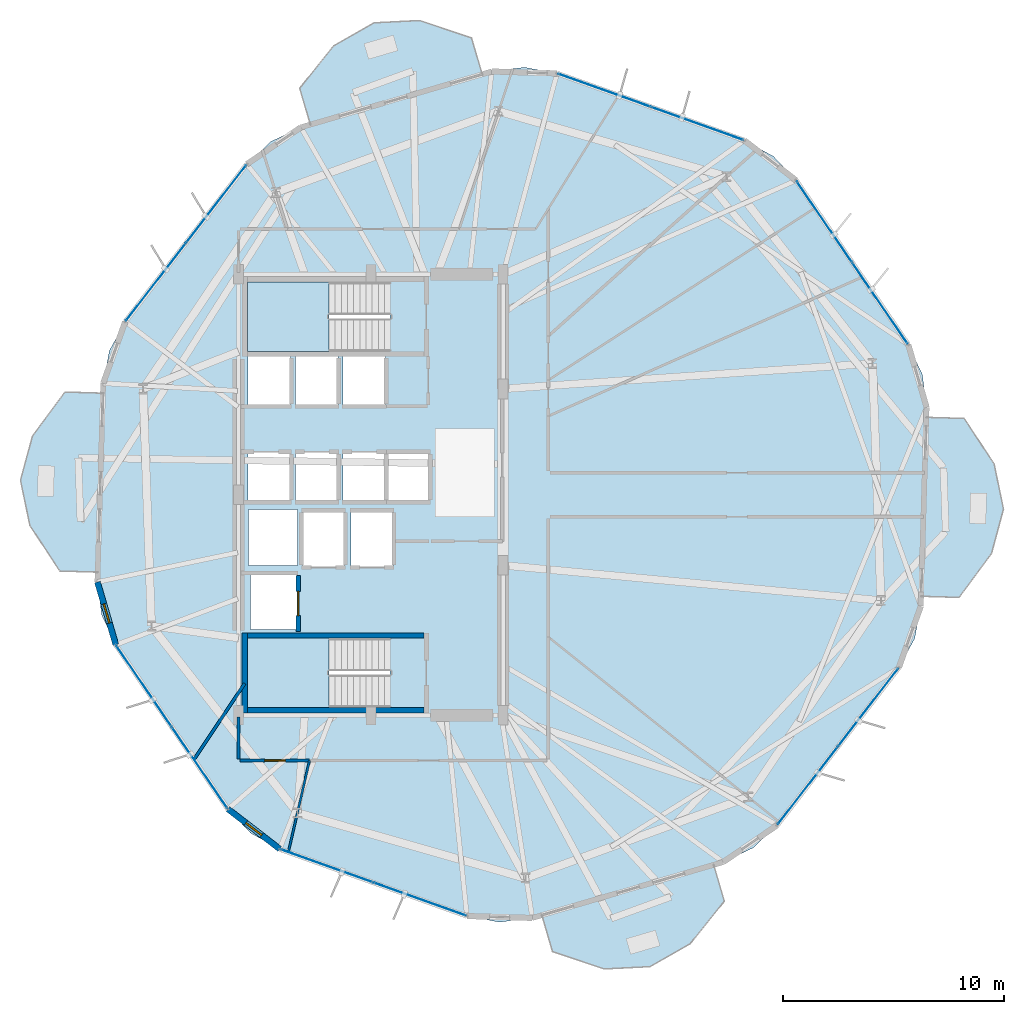
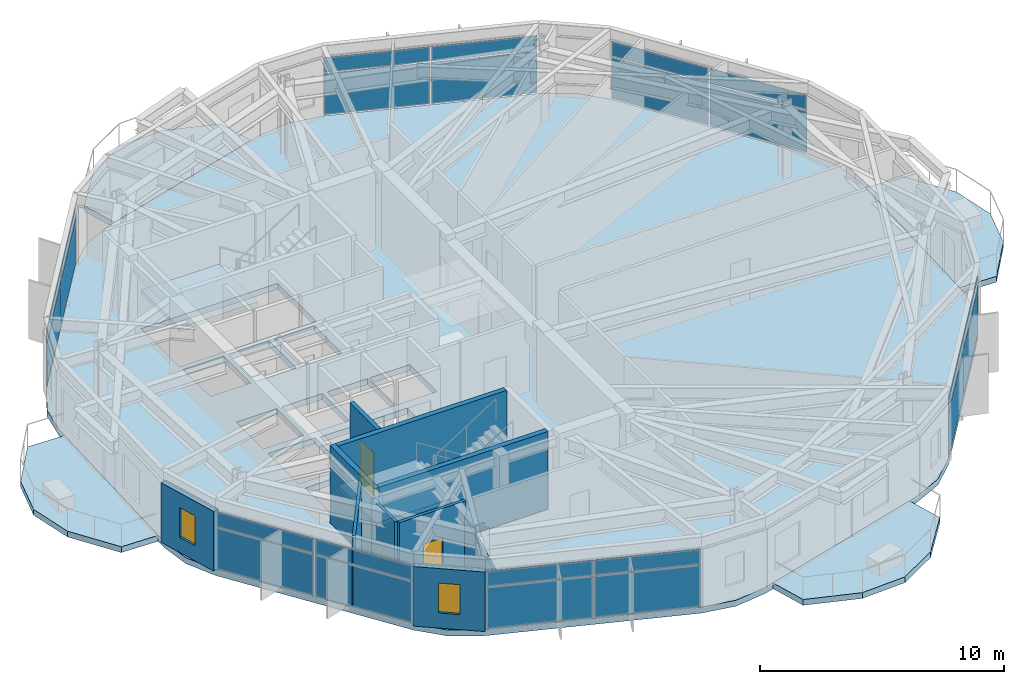
# One storey, part 18 of 24: 24 plates, 10 walls, 7 slabs, 2 doors, 2 windows, 4 openings, 8 elements without a shape of their own.
"""IFC4 building model written with IfcOpenShell, lengths in metres."""

import ifcopenshell
import ifcopenshell.guid

model = None  # the IFC model being written
_history = None  # IfcOwnerHistory: only IFC2X3 demands one
_inside = {}  # id of a spatial element -> (the spatial element, [elements in it])
_under = {}  # id of a project, library or spatial element -> (it, [spatial elements below it])
_declared = {}  # id of a project -> (the project, [libraries it declares])
_typed = {}  # id of a type object -> (the type object, [elements of that type])
_made_of = {}  # id of a material, layer set ... -> (it, [elements and type objects made of it])


def new_model(schema):
    """Start an empty IFC model of exactly this schema.

    Asked for "IFC4X3", IfcOpenShell would pick the latest addendum, in which some entities
    have other attributes; the version numbers below select the first issue.
    IFC2X3 requires an IfcOwnerHistory on every rooted entity: one is made here for all.
    """
    global model, _history
    if schema == "IFC4X3":
        model = ifcopenshell.file(schema_version=(4, 3, 0, 0))
    else:
        model = ifcopenshell.file(schema=schema)
    _inside.clear()
    _under.clear()
    _declared.clear()
    _typed.clear()
    _made_of.clear()
    _history = None
    if model.schema == "IFC2X3":
        org = make("IfcOrganization", Name="unknown")
        user = make(
            "IfcPersonAndOrganization",
            ThePerson=make("IfcPerson", FamilyName="unknown"),
            TheOrganization=org,
        )
        app = make(
            "IfcApplication",
            ApplicationDeveloper=org,
            Version="unknown",
            ApplicationFullName="unknown",
            ApplicationIdentifier="unknown",
        )
        _history = make(
            "IfcOwnerHistory",
            OwningUser=user,
            OwningApplication=app,
            ChangeAction="ADDED",
            CreationDate=0,
        )
    return model


def make(cls, **values):
    """One entity of the class cls with the attributes given. An attribute that is None is left unset."""
    return model.create_entity(
        cls, **{name: value for name, value in values.items() if value is not None}
    )


def rooted(cls, **values):
    """An entity with a GlobalId (a new one), such as an element, a storey or a relation."""
    return make(cls, GlobalId=ifcopenshell.guid.new(), OwnerHistory=_history, **values)


def si_unit(unit_type, name, prefix=None):
    """IfcSIUnit, for example si_unit("LENGTHUNIT", "METRE", prefix="MILLI")."""
    return make("IfcSIUnit", UnitType=unit_type, Prefix=prefix, Name=name)


def assignment(units):
    """IfcUnitAssignment: the units of a project."""
    return None if units is None else make("IfcUnitAssignment", Units=units)


def point(xyz):
    """IfcCartesianPoint."""
    return None if xyz is None else make("IfcCartesianPoint", Coordinates=xyz)


def direction(xyz):
    """IfcDirection."""
    return None if xyz is None else make("IfcDirection", DirectionRatios=xyz)


def frame(location, z_axis=None, x_axis=None):
    """IfcAxis2Placement3D, a coordinate frame: its origin and axes. An axis left out is left unset."""
    return make(
        "IfcAxis2Placement3D",
        Location=point(location),
        Axis=direction(z_axis),
        RefDirection=direction(x_axis),
    )


def frame_2d(location, x_axis=None):
    """IfcAxis2Placement2D, a coordinate frame in the plane: its origin and x axis."""
    return make(
        "IfcAxis2Placement2D", Location=point(location), RefDirection=direction(x_axis)
    )


def origin():
    """The frame at (0, 0, 0) with its axes left unset."""
    return frame((0.0, 0.0, 0.0))


def origin_2d():
    """The frame at (0, 0) in the plane with its x axis left unset."""
    return frame_2d((0.0, 0.0))


def place(relative_to, where):
    """IfcLocalPlacement: puts the frame where relative to a parent placement (None: the world)."""
    return make(
        "IfcLocalPlacement", PlacementRelTo=relative_to, RelativePlacement=where
    )


def context(
    kind, dimensions, precision=None, world=None, true_north=None, identifier=None
):
    """IfcGeometricRepresentationContext, for example the 3D "Model" context."""
    return make(
        "IfcGeometricRepresentationContext",
        ContextIdentifier=identifier,
        ContextType=kind,
        CoordinateSpaceDimension=dimensions,
        Precision=precision,
        WorldCoordinateSystem=world,
        TrueNorth=true_north,
    )


def subcontext(parent, identifier, kind, view, scale=None):
    """IfcGeometricRepresentationSubContext, for example "Body" below "Model"."""
    return make(
        "IfcGeometricRepresentationSubContext",
        ContextIdentifier=identifier,
        ContextType=kind,
        ParentContext=parent,
        TargetScale=scale,
        TargetView=view,
    )


def project(units=None, contexts=None):
    """IfcProject with its units and contexts."""
    return rooted(
        "IfcProject",
        Name="project",
        RepresentationContexts=contexts,
        UnitsInContext=assignment(units),
    )


def spatial(cls, under=None, at=None, **own):
    """A site, building, storey or space (cls), placed at a placement, below another one or the project."""
    s = rooted(cls, ObjectPlacement=at, **own)
    if under is not None:
        _under.setdefault(under.id(), (under, []))[1].append(s)
    return s


def polyline(points):
    """IfcPolyline through the points."""
    return make("IfcPolyline", Points=[point(p) for p in points])


def profile(cls, at=None, kind="AREA", **sizes):
    """A parametric profile (cls). Its sizes go by their IFC names, for example OverallWidth=200.0."""
    return make(cls, ProfileType=kind, Position=at, **sizes)


def rectangle(**sizes):
    """IfcRectangleProfileDef."""
    return profile("IfcRectangleProfileDef", **sizes)


def outline(outer, holes=None, kind="AREA"):
    """IfcArbitraryClosedProfileDef: a profile drawn as a closed curve; with holes, ...WithVoids."""
    if holes is None:
        return make("IfcArbitraryClosedProfileDef", ProfileType=kind, OuterCurve=outer)
    return make(
        "IfcArbitraryProfileDefWithVoids",
        ProfileType=kind,
        OuterCurve=outer,
        InnerCurves=holes,
    )


def extrude(swept, where, along, depth):
    """IfcExtrudedAreaSolid: the profile swept, set in the frame where, extruded along a direction by depth."""
    return make(
        "IfcExtrudedAreaSolid",
        SweptArea=swept,
        Position=where,
        ExtrudedDirection=direction(along),
        Depth=depth,
    )


def shape(context_of_items, identifier, shape_type, items):
    """IfcShapeRepresentation: the items that make up one representation, for example the "Body"."""
    return make(
        "IfcShapeRepresentation",
        ContextOfItems=context_of_items,
        RepresentationIdentifier=identifier,
        RepresentationType=shape_type,
        Items=items,
    )


def material(Name=None, Category=None):
    """IfcMaterial."""
    return make("IfcMaterial", Name=Name, Category=Category)


def layer(
    of_material, thickness, ventilated=None, Name=None, Category=None, Priority=None
):
    """IfcMaterialLayer: one layer of a wall or slab, of a material (None: an air gap)."""
    return make(
        "IfcMaterialLayer",
        Material=of_material,
        LayerThickness=thickness,
        IsVentilated=ventilated,
        Name=Name,
        Category=Category,
        Priority=Priority,
    )


def layer_set(layers, Name=None):
    """IfcMaterialLayerSet."""
    return make("IfcMaterialLayerSet", MaterialLayers=layers, LayerSetName=Name)


def made_of(thing, what):
    """Note that an element or type object is made of a material, layer set ...; save() writes the relation."""
    if what is not None:
        _made_of.setdefault(what.id(), (what, []))[1].append(thing)
    return thing


def type_object(cls, material=None, **own):
    """A type object (cls), such as IfcWallType, which elements share."""
    return made_of(rooted(cls, **own), material)


def element(
    cls,
    number,
    at=None,
    inside=None,
    cuts=None,
    type_object=None,
    material=None,
    context=None,
    identifier="Body",
    shape_type=None,
    held_by="IfcProductDefinitionShape",
    body=None,
    shapes=None,
    **own,
):
    """One element of the class cls, such as IfcWall. Its Tag is "e" and its number.

    at: its placement. inside: the storey or other place that contains it. cuts: it is an
    opening in that element (IfcRelVoidsElement). A single representation is given by context,
    identifier, shape_type and body (its items); several are given by shapes. held_by: the class
    of the entity that holds the representations. save() writes the other relations.
    """
    e = rooted(cls, Tag="e%d" % number, ObjectPlacement=at, **own)
    if body is not None:
        shapes = [shape(context, identifier, shape_type, body)]
    if shapes is not None:
        e.Representation = make(held_by, Representations=shapes)
    if inside is not None:
        _inside.setdefault(inside.id(), (inside, []))[1].append(e)
    if cuts is not None:
        rooted(
            "IfcRelVoidsElement", RelatingBuildingElement=cuts, RelatedOpeningElement=e
        )
    if type_object is not None:
        _typed.setdefault(type_object.id(), (type_object, []))[1].append(e)
    return made_of(e, material)


def fill(opening, filler):
    """IfcRelFillsElement: the door or window that sits in an opening."""
    return rooted(
        "IfcRelFillsElement",
        RelatingOpeningElement=opening,
        RelatedBuildingElement=filler,
    )


def aggregate(whole, parts):
    """IfcRelAggregates: a whole, such as a stair, and the parts it consists of."""
    return rooted("IfcRelAggregates", RelatingObject=whole, RelatedObjects=parts)


def save(model, path):
    """Write the relations noted so far, then the file.

    IfcRelAggregates (storeys below a building ...), IfcRelContainedInSpatialStructure (elements
    in a storey), IfcRelDefinesByType, IfcRelAssociatesMaterial and IfcRelDeclares: one each for
    every whole, place, type object, material and project.
    """
    for whole, parts in _under.values():
        aggregate(whole, parts)
    for where, things in _inside.values():
        rooted(
            "IfcRelContainedInSpatialStructure",
            RelatedElements=things,
            RelatingStructure=where,
        )
    for kind, things in _typed.values():
        rooted("IfcRelDefinesByType", RelatedObjects=things, RelatingType=kind)
    for what, things in _made_of.values():
        rooted("IfcRelAssociatesMaterial", RelatedObjects=things, RelatingMaterial=what)
    for by, libraries in _declared.values():
        rooted("IfcRelDeclares", RelatingContext=by, RelatedDefinitions=libraries)
    model.write(path)


model = new_model("IFC4")

# Units and contexts
model_context = context("Model", 3, precision=1e-05, world=origin(), true_north=direction((0.0, 1.0)))
body_context = subcontext(model_context, "Body", "Model", "MODEL_VIEW")
ifc_project = project(units=[si_unit("LENGTHUNIT", "METRE"), si_unit("AREAUNIT", "SQUARE_METRE"), si_unit("VOLUMEUNIT", "CUBIC_METRE"), si_unit("PLANEANGLEUNIT", "RADIAN"), si_unit("MASSUNIT", "GRAM", prefix="KILO")], contexts=[model_context])

# Site, building, storey
site_placement = place(None, origin())
site = spatial("IfcSite", under=ifc_project, at=site_placement, CompositionType="ELEMENT")
building_placement = place(site_placement, origin())
building = spatial("IfcBuilding", under=site, at=building_placement, Name="Soratama Intermodal Tower", CompositionType="ELEMENT")
storey_placement = place(building_placement, frame((0.0, 0.0, 91.300048828125)))
storey = spatial("IfcBuildingStorey", under=building, at=storey_placement, Name="L21", CompositionType="ELEMENT", Elevation=91.300048828125)

# Curtain wall, plates
ifc_material_1 = material(Name="Double-glazed aluminium curtain wall", Category="aluminium")
ifc_layer_1 = layer(ifc_material_1, 0.159912109375)
ifc_layer_set_1 = layer_set([ifc_layer_1], Name="Double-glazed aluminium curtain wall")
curtain_wall_type = type_object("IfcCurtainWallType", Name="CW-SYS-3", PredefinedType="NOTDEFINED", material=ifc_layer_set_1)
curtain_wall_1_placement = place(storey_placement, origin())
curtain_wall_1 = element("IfcCurtainWall", 1, at=curtain_wall_1_placement, inside=storey, type_object=curtain_wall_type, Name="L21 Faceted Curtain Wall F01", PredefinedType="NOTDEFINED")
ifc_material_2 = material(Name="Low-E laminated double glazing", Category="glass")
ifc_layer_2 = layer(ifc_material_2, 0.028076171875)
ifc_layer_set_2 = layer_set([ifc_layer_2], Name="Low-E laminated double glazing")
plate_type = type_object("IfcPlateType", Name="PT-CWP-3", PredefinedType="CURTAIN_PANEL", material=ifc_layer_set_2)
plate_1_placement = place(storey_placement, frame((61.6865234375, 33.68017578125, 0.059814453125), z_axis=(0.0, 0.0, 1.0), x_axis=(-0.563813696137, 0.82590200148, 0.0)))
plate_1 = element("IfcPlate", 2, at=plate_1_placement, type_object=plate_type, Name="CW-3 panel 1.1", PredefinedType="CURTAIN_PANEL", context=body_context, shape_type="SweptSolid", body=[
    extrude(rectangle(XDim=4.41845703125, YDim=0.028076171875, at=origin_2d()), origin(), (0.0, 0.0, 1.0), 2.06005859375),
])
plate_2_placement = place(storey_placement, frame((61.6865234375, 33.68017578125, 2.18017578125), z_axis=(0.0, 0.0, 1.0), x_axis=(-0.563813696137, 0.82590200148, 0.0)))
plate_2 = element("IfcPlate", 3, at=plate_2_placement, type_object=plate_type, Name="CW-3 panel 1.2", PredefinedType="CURTAIN_PANEL", context=body_context, shape_type="SweptSolid", body=[
    extrude(rectangle(XDim=4.41845703125, YDim=0.028076171875, at=origin_2d()), origin(), (0.0, 0.0, 1.0), 0.739013671875),
])
plate_3_placement = place(storey_placement, frame((59.16162109375, 37.37890625, 0.059814453125), z_axis=(0.0, 0.0, 1.0), x_axis=(-0.563813696137, 0.82590200148, 0.0)))
plate_3 = element("IfcPlate", 4, at=plate_3_placement, type_object=plate_type, Name="CW-3 panel 2.1", PredefinedType="CURTAIN_PANEL", context=body_context, shape_type="SweptSolid", body=[
    extrude(rectangle(XDim=4.41845703125, YDim=0.028076171875, at=origin_2d()), origin(), (0.0, 0.0, 1.0), 2.06005859375),
])
plate_4_placement = place(storey_placement, frame((59.16162109375, 37.37890625, 2.18017578125), z_axis=(0.0, 0.0, 1.0), x_axis=(-0.563813696137, 0.82590200148, 0.0)))
plate_4 = element("IfcPlate", 5, at=plate_4_placement, type_object=plate_type, Name="CW-3 panel 2.2", PredefinedType="CURTAIN_PANEL", context=body_context, shape_type="SweptSolid", body=[
    extrude(rectangle(XDim=4.41845703125, YDim=0.028076171875, at=origin_2d()), origin(), (0.0, 0.0, 1.0), 0.739013671875),
])
aggregate(curtain_wall_1, [plate_1, plate_2, plate_3, plate_4])

curtain_wall_2_placement = place(storey_placement, origin())
curtain_wall_2 = element("IfcCurtainWall", 6, at=curtain_wall_2_placement, inside=storey, type_object=curtain_wall_type, Name="L21 Faceted Curtain Wall F02", PredefinedType="NOTDEFINED")
plate_5_placement = place(storey_placement, frame((53.397705078125, 41.83056640625, 0.059814453125), z_axis=(0.0, 0.0, 1.0), x_axis=(-0.941590012048, 0.336761412889, 0.0)))
plate_5 = element("IfcPlate", 7, at=plate_5_placement, type_object=plate_type, Name="CW-3 panel 1.1", PredefinedType="CURTAIN_PANEL", context=body_context, shape_type="SweptSolid", body=[
    extrude(rectangle(XDim=4.41845703125, YDim=0.028076171875, at=origin_2d()), origin(), (0.0, 0.0, 1.0), 2.06005859375),
])
plate_6_placement = place(storey_placement, frame((53.397705078125, 41.83056640625, 2.18017578125), z_axis=(0.0, 0.0, 1.0), x_axis=(-0.941590012048, 0.336761412889, 0.0)))
plate_6 = element("IfcPlate", 8, at=plate_6_placement, type_object=plate_type, Name="CW-3 panel 1.2", PredefinedType="CURTAIN_PANEL", context=body_context, shape_type="SweptSolid", body=[
    extrude(rectangle(XDim=4.41845703125, YDim=0.028076171875, at=origin_2d()), origin(), (0.0, 0.0, 1.0), 0.739013671875),
])
plate_7_placement = place(storey_placement, frame((49.180908203125, 43.338623046875, 0.059814453125), z_axis=(0.0, 0.0, 1.0), x_axis=(-0.941590012048, 0.336761412889, 0.0)))
plate_7 = element("IfcPlate", 9, at=plate_7_placement, type_object=plate_type, Name="CW-3 panel 2.1", PredefinedType="CURTAIN_PANEL", context=body_context, shape_type="SweptSolid", body=[
    extrude(rectangle(XDim=4.41845703125, YDim=0.028076171875, at=origin_2d()), origin(), (0.0, 0.0, 1.0), 2.06005859375),
])
plate_8_placement = place(storey_placement, frame((49.180908203125, 43.338623046875, 2.18017578125), z_axis=(0.0, 0.0, 1.0), x_axis=(-0.941590012048, 0.336761412889, 0.0)))
plate_8 = element("IfcPlate", 10, at=plate_8_placement, type_object=plate_type, Name="CW-3 panel 2.2", PredefinedType="CURTAIN_PANEL", context=body_context, shape_type="SweptSolid", body=[
    extrude(rectangle(XDim=4.41845703125, YDim=0.028076171875, at=origin_2d()), origin(), (0.0, 0.0, 1.0), 0.739013671875),
])
aggregate(curtain_wall_2, [plate_5, plate_6, plate_7, plate_8])

curtain_wall_3_placement = place(storey_placement, origin())
curtain_wall_3 = element("IfcCurtainWall", 11, at=curtain_wall_3_placement, inside=storey, type_object=curtain_wall_type, Name="L21 Faceted Curtain Wall F04", PredefinedType="NOTDEFINED")
plate_9_placement = place(storey_placement, frame((31.588134765625, 38.1875, 0.059814453125), z_axis=(0.0, 0.0, 1.0), x_axis=(-0.611250522513, -0.79143717295, 0.0)))
plate_9 = element("IfcPlate", 12, at=plate_9_placement, type_object=plate_type, Name="CW-3 panel 1.1", PredefinedType="CURTAIN_PANEL", context=body_context, shape_type="SweptSolid", body=[
    extrude(rectangle(XDim=4.41845703125, YDim=0.028076171875, at=origin_2d()), origin(), (0.0, 0.0, 1.0), 2.06005859375),
])
plate_10_placement = place(storey_placement, frame((31.588134765625, 38.1875, 2.18017578125), z_axis=(0.0, 0.0, 1.0), x_axis=(-0.611250522513, -0.79143717295, 0.0)))
plate_10 = element("IfcPlate", 13, at=plate_10_placement, type_object=plate_type, Name="CW-3 panel 1.2", PredefinedType="CURTAIN_PANEL", context=body_context, shape_type="SweptSolid", body=[
    extrude(rectangle(XDim=4.41845703125, YDim=0.028076171875, at=origin_2d()), origin(), (0.0, 0.0, 1.0), 0.739013671875),
])
plate_11_placement = place(storey_placement, frame((28.850830078125, 34.643310546875, 0.059814453125), z_axis=(0.0, 0.0, 1.0), x_axis=(-0.611250522513, -0.79143717295, 0.0)))
plate_11 = element("IfcPlate", 14, at=plate_11_placement, type_object=plate_type, Name="CW-3 panel 2.1", PredefinedType="CURTAIN_PANEL", context=body_context, shape_type="SweptSolid", body=[
    extrude(rectangle(XDim=4.41845703125, YDim=0.028076171875, at=origin_2d()), origin(), (0.0, 0.0, 1.0), 2.06005859375),
])
plate_12_placement = place(storey_placement, frame((28.850830078125, 34.643310546875, 2.18017578125), z_axis=(0.0, 0.0, 1.0), x_axis=(-0.611250522513, -0.79143717295, 0.0)))
plate_12 = element("IfcPlate", 15, at=plate_12_placement, type_object=plate_type, Name="CW-3 panel 2.2", PredefinedType="CURTAIN_PANEL", context=body_context, shape_type="SweptSolid", body=[
    extrude(rectangle(XDim=4.41845703125, YDim=0.028076171875, at=origin_2d()), origin(), (0.0, 0.0, 1.0), 0.739013671875),
])
aggregate(curtain_wall_3, [plate_9, plate_10, plate_11, plate_12])

curtain_wall_4_placement = place(storey_placement, origin())
curtain_wall_4 = element("IfcCurtainWall", 16, at=curtain_wall_4_placement, inside=storey, type_object=curtain_wall_type, Name="L21 Faceted Curtain Wall F06", PredefinedType="NOTDEFINED")
plate_13_placement = place(storey_placement, frame((28.3134765625, 16.31982421875, 0.059814453125), z_axis=(0.0, 0.0, 1.0), x_axis=(0.563813696137, -0.82590200148, 0.0)))
plate_13 = element("IfcPlate", 17, at=plate_13_placement, type_object=plate_type, Name="CW-3 panel 1.1", PredefinedType="CURTAIN_PANEL", context=body_context, shape_type="SweptSolid", body=[
    extrude(rectangle(XDim=4.41845703125, YDim=0.028076171875, at=origin_2d()), origin(), (0.0, 0.0, 1.0), 2.06005859375),
])
plate_14_placement = place(storey_placement, frame((28.3134765625, 16.31982421875, 2.18017578125), z_axis=(0.0, 0.0, 1.0), x_axis=(0.563813696137, -0.82590200148, 0.0)))
plate_14 = element("IfcPlate", 18, at=plate_14_placement, type_object=plate_type, Name="CW-3 panel 1.2", PredefinedType="CURTAIN_PANEL", context=body_context, shape_type="SweptSolid", body=[
    extrude(rectangle(XDim=4.41845703125, YDim=0.028076171875, at=origin_2d()), origin(), (0.0, 0.0, 1.0), 0.739013671875),
])
plate_15_placement = place(storey_placement, frame((30.83837890625, 12.62109375, 0.059814453125), z_axis=(0.0, 0.0, 1.0), x_axis=(0.563813696137, -0.82590200148, 0.0)))
plate_15 = element("IfcPlate", 19, at=plate_15_placement, type_object=plate_type, Name="CW-3 panel 2.1", PredefinedType="CURTAIN_PANEL", context=body_context, shape_type="SweptSolid", body=[
    extrude(rectangle(XDim=4.41845703125, YDim=0.028076171875, at=origin_2d()), origin(), (0.0, 0.0, 1.0), 2.06005859375),
])
plate_16_placement = place(storey_placement, frame((30.83837890625, 12.62109375, 2.18017578125), z_axis=(0.0, 0.0, 1.0), x_axis=(0.563813696137, -0.82590200148, 0.0)))
plate_16 = element("IfcPlate", 20, at=plate_16_placement, type_object=plate_type, Name="CW-3 panel 2.2", PredefinedType="CURTAIN_PANEL", context=body_context, shape_type="SweptSolid", body=[
    extrude(rectangle(XDim=4.41845703125, YDim=0.028076171875, at=origin_2d()), origin(), (0.0, 0.0, 1.0), 0.739013671875),
])
aggregate(curtain_wall_4, [plate_13, plate_14, plate_15, plate_16])

curtain_wall_5_placement = place(storey_placement, origin())
curtain_wall_5 = element("IfcCurtainWall", 21, at=curtain_wall_5_placement, inside=storey, type_object=curtain_wall_type, Name="L21 Faceted Curtain Wall F07", PredefinedType="NOTDEFINED")
plate_17_placement = place(storey_placement, frame((36.602294921875, 8.16943359375, 0.059814453125), z_axis=(0.0, 0.0, 1.0), x_axis=(0.941590012048, -0.336761412889, 0.0)))
plate_17 = element("IfcPlate", 22, at=plate_17_placement, type_object=plate_type, Name="CW-3 panel 1.1", PredefinedType="CURTAIN_PANEL", context=body_context, shape_type="SweptSolid", body=[
    extrude(rectangle(XDim=4.41845703125, YDim=0.028076171875, at=origin_2d()), origin(), (0.0, 0.0, 1.0), 2.06005859375),
])
plate_18_placement = place(storey_placement, frame((36.602294921875, 8.16943359375, 2.18017578125), z_axis=(0.0, 0.0, 1.0), x_axis=(0.941590012048, -0.336761412889, 0.0)))
plate_18 = element("IfcPlate", 23, at=plate_18_placement, type_object=plate_type, Name="CW-3 panel 1.2", PredefinedType="CURTAIN_PANEL", context=body_context, shape_type="SweptSolid", body=[
    extrude(rectangle(XDim=4.41845703125, YDim=0.028076171875, at=origin_2d()), origin(), (0.0, 0.0, 1.0), 0.739013671875),
])
plate_19_placement = place(storey_placement, frame((40.819091796875, 6.661376953125, 0.059814453125), z_axis=(0.0, 0.0, 1.0), x_axis=(0.941590012048, -0.336761412889, 0.0)))
plate_19 = element("IfcPlate", 24, at=plate_19_placement, type_object=plate_type, Name="CW-3 panel 2.1", PredefinedType="CURTAIN_PANEL", context=body_context, shape_type="SweptSolid", body=[
    extrude(rectangle(XDim=4.41845703125, YDim=0.028076171875, at=origin_2d()), origin(), (0.0, 0.0, 1.0), 2.06005859375),
])
plate_20_placement = place(storey_placement, frame((40.819091796875, 6.661376953125, 2.18017578125), z_axis=(0.0, 0.0, 1.0), x_axis=(0.941590012048, -0.336761412889, 0.0)))
plate_20 = element("IfcPlate", 25, at=plate_20_placement, type_object=plate_type, Name="CW-3 panel 2.2", PredefinedType="CURTAIN_PANEL", context=body_context, shape_type="SweptSolid", body=[
    extrude(rectangle(XDim=4.41845703125, YDim=0.028076171875, at=origin_2d()), origin(), (0.0, 0.0, 1.0), 0.739013671875),
])
aggregate(curtain_wall_5, [plate_17, plate_18, plate_19, plate_20])

curtain_wall_6_placement = place(storey_placement, origin())
curtain_wall_6 = element("IfcCurtainWall", 26, at=curtain_wall_6_placement, inside=storey, type_object=curtain_wall_type, Name="L21 Faceted Curtain Wall F09", PredefinedType="NOTDEFINED")
plate_21_placement = place(storey_placement, frame((58.411865234375, 11.8125, 0.059814453125), z_axis=(0.0, 0.0, 1.0), x_axis=(0.611250522513, 0.79143717295, 0.0)))
plate_21 = element("IfcPlate", 27, at=plate_21_placement, type_object=plate_type, Name="CW-3 panel 1.1", PredefinedType="CURTAIN_PANEL", context=body_context, shape_type="SweptSolid", body=[
    extrude(rectangle(XDim=4.41845703125, YDim=0.028076171875, at=origin_2d()), origin(), (0.0, 0.0, 1.0), 2.06005859375),
])
plate_22_placement = place(storey_placement, frame((58.411865234375, 11.8125, 2.18017578125), z_axis=(0.0, 0.0, 1.0), x_axis=(0.611250522513, 0.79143717295, 0.0)))
plate_22 = element("IfcPlate", 28, at=plate_22_placement, type_object=plate_type, Name="CW-3 panel 1.2", PredefinedType="CURTAIN_PANEL", context=body_context, shape_type="SweptSolid", body=[
    extrude(rectangle(XDim=4.41845703125, YDim=0.028076171875, at=origin_2d()), origin(), (0.0, 0.0, 1.0), 0.739013671875),
])
plate_23_placement = place(storey_placement, frame((61.149169921875, 15.356689453125, 0.059814453125), z_axis=(0.0, 0.0, 1.0), x_axis=(0.611250522513, 0.79143717295, 0.0)))
plate_23 = element("IfcPlate", 29, at=plate_23_placement, type_object=plate_type, Name="CW-3 panel 2.1", PredefinedType="CURTAIN_PANEL", context=body_context, shape_type="SweptSolid", body=[
    extrude(rectangle(XDim=4.41845703125, YDim=0.028076171875, at=origin_2d()), origin(), (0.0, 0.0, 1.0), 2.06005859375),
])
plate_24_placement = place(storey_placement, frame((61.149169921875, 15.356689453125, 2.18017578125), z_axis=(0.0, 0.0, 1.0), x_axis=(0.611250522513, 0.79143717295, 0.0)))
plate_24 = element("IfcPlate", 30, at=plate_24_placement, type_object=plate_type, Name="CW-3 panel 2.2", PredefinedType="CURTAIN_PANEL", context=body_context, shape_type="SweptSolid", body=[
    extrude(rectangle(XDim=4.41845703125, YDim=0.028076171875, at=origin_2d()), origin(), (0.0, 0.0, 1.0), 0.739013671875),
])
aggregate(curtain_wall_6, [plate_21, plate_22, plate_23, plate_24])

# Slabs
ifc_material_3 = material(Name="Concrete f'c 42 MPa", Category="concrete")
ifc_layer_3 = layer(ifc_material_3, 0.2900390625)
ifc_layer_set_3 = layer_set([ifc_layer_3], Name="Concrete f'c 42 MPa")
slab_type_1 = type_object("IfcSlabType", Name="SL-EXT-BAL2", PredefinedType="FLOOR", material=ifc_layer_set_3)
slab_1_placement = place(storey_placement, frame((0.0, 0.0, -0.2900390625)))
element("IfcSlab", 31, at=slab_1_placement, inside=storey, type_object=slab_type_1, Name="L21 Planted Balcony East 1", PredefinedType="FLOOR", context=body_context, shape_type="SweptSolid", body=[
    extrude(outline(polyline([(63.54833984375, 20.395751953125), (63.786376953125, 28.509033203125), (65.505615234375, 28.458740234375), (66.860595703125, 26.388916015625), (67.285888671875, 24.34619140625), (66.74169921875, 22.332275390625), (65.267578125, 20.345458984375), (63.54833984375, 20.395751953125)])), origin(), (0.0, 0.0, 1.0), 0.2900390625),
])
slab_2_placement = place(storey_placement, frame((0.0, 0.0, -0.2900390625)))
element("IfcSlab", 32, at=slab_2_placement, inside=storey, type_object=slab_type_1, Name="L21 Planted Balcony North 2", PredefinedType="FLOOR", context=body_context, shape_type="SweptSolid", body=[
    extrude(outline(polyline([(43.64697265625, 44.0634765625), (35.857421875, 41.782470703125), (35.3740234375, 43.43310546875), (36.923583984375, 45.361572265625), (38.73486328125, 46.397216796875), (40.818603515625, 46.501953125), (43.163818359375, 45.714111328125), (43.64697265625, 44.0634765625)])), origin(), (0.0, 0.0, 1.0), 0.2900390625),
])
slab_3_placement = place(storey_placement, frame((0.0, 0.0, -0.2900390625)))
element("IfcSlab", 33, at=slab_3_placement, inside=storey, type_object=slab_type_1, Name="L21 Planted Balcony West 3", PredefinedType="FLOOR", context=body_context, shape_type="SweptSolid", body=[
    extrude(outline(polyline([(26.45166015625, 29.604248046875), (26.213623046875, 21.490966796875), (24.494384765625, 21.541259765625), (23.139404296875, 23.611083984375), (22.714111328125, 25.65380859375), (23.25830078125, 27.667724609375), (24.732421875, 29.654541015625), (26.45166015625, 29.604248046875)])), origin(), (0.0, 0.0, 1.0), 0.2900390625),
])
slab_4_placement = place(storey_placement, frame((0.0, 0.0, -0.2900390625)))
element("IfcSlab", 34, at=slab_4_placement, inside=storey, type_object=slab_type_1, Name="L21 Planted Balcony South 4", PredefinedType="FLOOR", context=body_context, shape_type="SweptSolid", body=[
    extrude(outline(polyline([(46.35302734375, 5.9365234375), (54.142578125, 8.217529296875), (54.6259765625, 6.56689453125), (53.076416015625, 4.638427734375), (51.26513671875, 3.602783203125), (49.181396484375, 3.498046875), (46.836181640625, 4.285888671875), (46.35302734375, 5.9365234375)])), origin(), (0.0, 0.0, 1.0), 0.2900390625),
])

# Stair, slab
ifc_material_4 = material(Name="Concrete f'c 42 MPa", Category="concrete")
stair_type = type_object("IfcStairType", Name="ST-CORE-DOGLEG", PredefinedType="HALF_TURN_STAIR", material=ifc_material_4)
stair_1_placement = place(storey_placement, origin())
stair_1 = element("IfcStair", 35, at=stair_1_placement, inside=storey, type_object=stair_type, Name="L21 ST-1", PredefinedType="HALF_TURN_STAIR")
ifc_material_5 = material(Name="Concrete f'c 42 MPa", Category="concrete")
ifc_layer_4 = layer(ifc_material_5, 0.219970703125)
ifc_layer_set_4 = layer_set([ifc_layer_4], Name="Concrete f'c 42 MPa")
slab_type_2 = type_object("IfcSlabType", Name="SL-STAIR-LAND", PredefinedType="LANDING", material=ifc_layer_set_4)
slab_5_placement = place(storey_placement, frame((0.0, 0.0, 1.75)))
slab_5 = element("IfcSlab", 36, at=slab_5_placement, type_object=slab_type_2, Name="ST-1 landing 1", PredefinedType="LANDING", context=body_context, shape_type="SweptSolid", body=[
    extrude(outline(polyline([(36.699951171875, 18.5), (33.0, 18.5), (33.0, 15.35009765625), (36.699951171875, 15.35009765625), (36.699951171875, 18.5)])), origin(), (0.0, 0.0, 1.0), 0.199951171875),
])
aggregate(stair_1, [slab_5])

stair_2_placement = place(storey_placement, origin())
stair_2 = element("IfcStair", 37, at=stair_2_placement, inside=storey, type_object=stair_type, Name="L21 ST-2", PredefinedType="HALF_TURN_STAIR")
slab_6_placement = place(storey_placement, frame((0.0, 0.0, 1.75)))
slab_6 = element("IfcSlab", 38, at=slab_6_placement, type_object=slab_type_2, Name="ST-2 landing 1", PredefinedType="LANDING", context=body_context, shape_type="SweptSolid", body=[
    extrude(outline(polyline([(36.699951171875, 34.64990234375), (33.0, 34.64990234375), (33.0, 31.5), (36.699951171875, 31.5), (36.699951171875, 34.64990234375)])), origin(), (0.0, 0.0, 1.0), 0.199951171875),
])
aggregate(stair_2, [slab_6])

# Slab
ifc_material_6 = material(Name="Concrete f'c 42 MPa", Category="concrete")
ifc_layer_5 = layer(ifc_material_6, 0.280029296875)
ifc_layer_set_5 = layer_set([ifc_layer_5], Name="Concrete f'c 42 MPa")
slab_type_3 = type_object("IfcSlabType", Name="SL-TWR-280", PredefinedType="FLOOR", material=ifc_layer_set_5)
slab_7_placement = place(storey_placement, frame((0.0, 0.0, -0.300048828125)))
element("IfcSlab", 39, at=slab_7_placement, inside=storey, type_object=slab_type_3, Name="L21 Structural Floor Slab", PredefinedType="FLOOR", context=body_context, shape_type="SweptSolid", body=[
    extrude(outline(polyline([(63.799560546875, 28.958984375), (63.608154296875, 30.448486328125), (62.966064453125, 31.805908203125), (57.882080078125, 39.2529296875), (56.851806640625, 40.345703125), (55.5341796875, 41.06640625), (47.044189453125, 44.102783203125), (45.568359375, 44.381103515625), (44.078857421875, 44.189697265625), (35.42529296875, 41.656005859375), (34.06787109375, 41.013916015625), (32.975341796875, 39.9833984375), (27.4638671875, 32.847412109375), (26.7431640625, 31.52978515625), (26.46484375, 30.053955078125), (26.200439453125, 21.041015625), (26.391845703125, 19.551513671875), (27.033935546875, 18.194091796875), (32.117919921875, 10.7470703125), (33.148193359375, 9.654296875), (34.4658203125, 8.93359375), (42.955810546875, 5.897216796875), (44.431640625, 5.618896484375), (45.921142578125, 5.810302734375), (54.57470703125, 8.343994140625), (55.93212890625, 8.986083984375), (57.024658203125, 10.0166015625), (62.5361328125, 17.152587890625), (63.2568359375, 18.47021484375), (63.53515625, 19.946044921875), (63.799560546875, 28.958984375)]), holes=[polyline([(33.0, 18.5), (33.0, 15.35009765625), (39.47509765625, 15.35009765625), (39.47509765625, 18.5), (33.0, 18.5)]), polyline([(35.260009765625, 18.889892578125), (35.260009765625, 21.409912109375), (33.139892578125, 21.409912109375), (33.139892578125, 18.889892578125), (35.260009765625, 18.889892578125)]), polyline([(33.050048828125, 21.800048828125), (35.280029296875, 21.800048828125), (35.280029296875, 24.320068359375), (33.050048828125, 24.320068359375), (33.050048828125, 21.800048828125)]), polyline([(34.9599609375, 26.909912109375), (33.0400390625, 26.909912109375), (33.0400390625, 24.68994140625), (34.9599609375, 24.68994140625), (34.9599609375, 26.909912109375)]), polyline([(37.110107421875, 24.68994140625), (37.110107421875, 26.909912109375), (35.18994140625, 26.909912109375), (35.18994140625, 24.68994140625), (37.110107421875, 24.68994140625)]), polyline([(34.9599609375, 29.0400390625), (34.9599609375, 31.260009765625), (33.0400390625, 31.260009765625), (33.0400390625, 29.0400390625), (34.9599609375, 29.0400390625)]), polyline([(37.110107421875, 31.260009765625), (35.18994140625, 31.260009765625), (35.18994140625, 29.0400390625), (37.110107421875, 29.0400390625), (37.110107421875, 31.260009765625)]), polyline([(37.409912109375, 21.739990234375), (37.409912109375, 24.260009765625), (35.489990234375, 24.260009765625), (35.489990234375, 21.739990234375), (37.409912109375, 21.739990234375)]), polyline([(39.610107421875, 21.739990234375), (39.610107421875, 24.260009765625), (37.68994140625, 24.260009765625), (37.68994140625, 21.739990234375), (39.610107421875, 21.739990234375)]), polyline([(39.260009765625, 24.68994140625), (39.260009765625, 26.909912109375), (37.340087890625, 26.909912109375), (37.340087890625, 24.68994140625), (39.260009765625, 24.68994140625)]), polyline([(41.260009765625, 24.68994140625), (41.260009765625, 26.909912109375), (39.340087890625, 26.909912109375), (39.340087890625, 24.68994140625), (41.260009765625, 24.68994140625)]), polyline([(39.260009765625, 29.0400390625), (39.260009765625, 31.260009765625), (37.340087890625, 31.260009765625), (37.340087890625, 29.0400390625), (39.260009765625, 29.0400390625)]), polyline([(39.47509765625, 34.64990234375), (33.0, 34.64990234375), (33.0, 31.5), (39.47509765625, 31.5), (39.47509765625, 34.64990234375)])]), origin(), (0.0, 0.0, 1.0), 0.300048828125),
])

# Wall, opening, window
ifc_material_7 = material(Name="Concrete f'c 42 MPa", Category="concrete")
ifc_layer_6 = layer(ifc_material_7, 0.27001953125)
ifc_layer_set_6 = layer_set([ifc_layer_6], Name="Concrete f'c 42 MPa")
wall_type_1 = type_object("IfcWallType", Name="EW-CRN-270", PredefinedType="SOLIDWALL", material=ifc_layer_set_6)
wall_1_placement = place(storey_placement, frame((26.200439453125, 21.041015625, 0.0), z_axis=(0.0, 0.0, 1.0), x_axis=(0.280976408638, -0.959714675197, 0.0)))
wall_1 = element("IfcWall", 40, at=wall_1_placement, inside=storey, type_object=wall_type_1, Name="L21 Corner Closure Wall 05", PredefinedType="SOLIDWALL", context=body_context, shape_type="SweptSolid", body=[
    extrude(rectangle(XDim=2.96630859375, YDim=0.27001953125, at=frame_2d((1.483154296875, 0.0))), origin(), (0.0, 0.0, 1.0), 2.97900390625),
])
opening_1_placement = place(wall_1_placement, frame((1.033203125, 0.0, 0.75)))
opening_1 = element("IfcOpeningElement", 41, at=opening_1_placement, cuts=wall_1, Name="Opening WN-6", PredefinedType="OPENING", context=body_context, shape_type="SweptSolid", body=[
    extrude(rectangle(XDim=0.89990234375, YDim=1.5, at=frame_2d((0.449951171875, 0.75))), frame((0.0, 0.14501953125, 0.0), z_axis=(0.0, -1.0, 0.0), x_axis=(1.0, 0.0, 0.0)), (0.0, 0.0, 1.0), 0.2900390625),
])
ifc_material_8 = material(Name="Double-glazed aluminium window", Category="aluminium")
window_type = type_object("IfcWindowType", Name="WN-FAC-900", PartitioningType="SINGLE_PANEL", PredefinedType="WINDOW", material=ifc_material_8)
window_1_placement = place(opening_1_placement, origin())
window_1 = element("IfcWindow", 42, at=window_1_placement, inside=storey, type_object=window_type, Name="L21 Corner Window 05", OverallHeight=1.5, OverallWidth=0.89990234375, PartitioningType="SINGLE_PANEL", PredefinedType="WINDOW", context=body_context, shape_type="SweptSolid", body=[
    extrude(rectangle(XDim=0.89990234375, YDim=1.5, at=frame_2d((0.449951171875, 0.75))), frame((0.0, 0.030029296875, 0.0), z_axis=(0.0, -1.0, 0.0), x_axis=(1.0, 0.0, 0.0)), (0.0, 0.0, 1.0), 0.06005859375),
])
fill(opening_1, window_1)

wall_2_placement = place(storey_placement, frame((32.117919921875, 10.7470703125, 0.0), z_axis=(0.0, 0.0, 1.0), x_axis=(0.791417099737, -0.611276512098, 0.0)))
wall_2 = element("IfcWall", 43, at=wall_2_placement, inside=storey, type_object=wall_type_1, Name="L21 Corner Closure Wall 06", PredefinedType="SOLIDWALL", context=body_context, shape_type="SweptSolid", body=[
    extrude(rectangle(XDim=2.966796875, YDim=0.27001953125, at=frame_2d((1.4833984375, 0.0))), origin(), (0.0, 0.0, 1.0), 2.97900390625),
])
opening_2_placement = place(wall_2_placement, frame((1.033203125, 0.0, 0.75)))
opening_2 = element("IfcOpeningElement", 44, at=opening_2_placement, cuts=wall_2, Name="Opening WN-6", PredefinedType="OPENING", context=body_context, shape_type="SweptSolid", body=[
    extrude(rectangle(XDim=0.89990234375, YDim=1.5, at=frame_2d((0.449951171875, 0.75))), frame((0.0, 0.14501953125, 0.0), z_axis=(0.0, -1.0, 0.0), x_axis=(1.0, 0.0, 0.0)), (0.0, 0.0, 1.0), 0.2900390625),
])
window_2_placement = place(opening_2_placement, origin())
window_2 = element("IfcWindow", 45, at=window_2_placement, inside=storey, type_object=window_type, Name="L21 Corner Window 06", OverallHeight=1.5, OverallWidth=0.89990234375, PartitioningType="SINGLE_PANEL", PredefinedType="WINDOW", context=body_context, shape_type="SweptSolid", body=[
    extrude(rectangle(XDim=0.89990234375, YDim=1.5, at=frame_2d((0.449951171875, 0.75))), frame((0.0, 0.030029296875, 0.0), z_axis=(0.0, -1.0, 0.0), x_axis=(1.0, 0.0, 0.0)), (0.0, 0.0, 1.0), 0.06005859375),
])
fill(opening_2, window_2)

# Wall, opening, door
ifc_material_9 = material(Name="Fire-rated gypsum stud partition", Category="concrete")
ifc_layer_7 = layer(ifc_material_9, 0.14990234375)
ifc_layer_set_7 = layer_set([ifc_layer_7], Name="Fire-rated gypsum stud partition")
wall_type_2 = type_object("IfcWallType", Name="IW-PART-R150", PredefinedType="PARTITIONING", material=ifc_layer_set_7)
wall_3_placement = place(storey_placement, frame((35.819091796875, 12.949951171875, 0.0), z_axis=(0.0, 0.0, 1.0), x_axis=(-1.0, 0.0, 0.0)))
wall_3 = element("IfcWall", 46, at=wall_3_placement, inside=storey, type_object=wall_type_2, Name="L21 Partition W-L21-TP020", PredefinedType="PARTITIONING", context=body_context, shape_type="SweptSolid", body=[
    extrude(rectangle(XDim=3.149169921875, YDim=0.14990234375, at=frame_2d((1.57470703125, 0.0))), origin(), (0.0, 0.0, 1.0), 3.599853515625),
])
opening_3_placement = place(wall_3_placement, frame((1.10009765625, 0.0, 0.0)))
opening_3 = element("IfcOpeningElement", 47, at=opening_3_placement, cuts=wall_3, Name="Opening ID-6", PredefinedType="OPENING", context=body_context, shape_type="SweptSolid", body=[
    extrude(rectangle(XDim=0.919921875, YDim=2.1201171875, at=frame_2d((0.4599609375, 1.06005859375))), frame((0.0, 0.0849609375, 0.0), z_axis=(0.0, -1.0, 0.0), x_axis=(1.0, 0.0, 0.0)), (0.0, 0.0, 1.0), 0.169921875),
])
ifc_material_10 = material(Name="Solid hardwood acoustic door", Category="wood")
door_type_1 = type_object("IfcDoorType", Name="DR-ROOM-920", OperationType="NOTDEFINED", PredefinedType="DOOR", material=ifc_material_10)
door_1_placement = place(opening_3_placement, origin())
door_1 = element("IfcDoor", 48, at=door_1_placement, inside=storey, type_object=door_type_1, Name="L21 Door D-L21-TP009", OperationType="SINGLE_SWING_RIGHT", OverallHeight=2.1201171875, OverallWidth=0.919921875, PredefinedType="DOOR", context=body_context, shape_type="SweptSolid", body=[
    extrude(rectangle(XDim=0.919921875, YDim=2.1201171875, at=frame_2d((0.4599609375, 1.06005859375))), frame((0.0, 0.02490234375, 0.0), z_axis=(0.0, -1.0, 0.0), x_axis=(1.0, 0.0, 0.0)), (0.0, 0.0, 1.0), 0.050048828125),
])
fill(opening_3, door_1)

# Walls
wall_4_placement = place(storey_placement, frame((32.60009765625, 13.02001953125, 0.0), z_axis=(0.0, 0.0, 1.0), x_axis=(0.0, 1.0, 0.0)))
element("IfcWall", 49, at=wall_4_placement, inside=storey, type_object=wall_type_2, Name="L21 Partition W-L21-TP025", PredefinedType="PARTITIONING", context=body_context, shape_type="SweptSolid", body=[
    extrude(rectangle(XDim=1.909912109375, YDim=0.14990234375, at=frame_2d((0.955078125, 0.0))), origin(), (0.0, 0.0, 1.0), 3.599853515625),
])
ifc_material_11 = material(Name="Fire-rated gypsum stud partition", Category="concrete")
ifc_layer_8 = layer(ifc_material_11, 0.10009765625)
ifc_layer_set_8 = layer_set([ifc_layer_8], Name="Fire-rated gypsum stud partition")
wall_type_3 = type_object("IfcWallType", Name="IW-PART-S100", PredefinedType="PARTITIONING", material=ifc_layer_set_8)
wall_5_placement = place(storey_placement, frame((35.819091796875, 12.949951171875, 0.0), z_axis=(0.0, 0.0, 1.0), x_axis=(-0.225277389067, -0.974294666913, 0.0)))
element("IfcWall", 50, at=wall_5_placement, inside=storey, type_object=wall_type_3, Name="L21 Partition W-L21-TP015", PredefinedType="PARTITIONING", context=body_context, shape_type="SweptSolid", body=[
    extrude(rectangle(XDim=4.2666015625, YDim=0.10009765625, at=frame_2d((2.13330078125, 0.0))), origin(), (0.0, 0.0, 1.0), 2.89501953125),
])
ifc_material_12 = material(Name="Fire-rated gypsum stud partition", Category="concrete")
ifc_layer_9 = layer(ifc_material_12, 0.139892578125)
ifc_layer_set_9 = layer_set([ifc_layer_9], Name="Fire-rated gypsum stud partition")
wall_type_4 = type_object("IfcWallType", Name="IW-PART-S140", PredefinedType="PARTITIONING", material=ifc_layer_set_9)
wall_6_placement = place(storey_placement, frame((32.8798828125, 16.43994140625, 0.0), z_axis=(0.0, 0.0, 1.0), x_axis=(-0.555516811992, -0.83150530461, 0.0)))
element("IfcWall", 51, at=wall_6_placement, inside=storey, type_object=wall_type_4, Name="L21 Partition W-L21-TP016", PredefinedType="PARTITIONING", context=body_context, shape_type="SweptSolid", body=[
    extrude(rectangle(XDim=4.13818359375, YDim=0.139892578125, at=frame_2d((2.069091796875, 0.0))), origin(), (0.0, 0.0, 1.0), 3.599853515625),
])

# Wall, opening, door
ifc_material_13 = material(Name="Concrete f'c 42 MPa", Category="concrete")
ifc_layer_10 = layer(ifc_material_13, 0.199951171875)
ifc_layer_set_10 = layer_set([ifc_layer_10], Name="Concrete f'c 42 MPa")
wall_type_5 = type_object("IfcWallType", Name="IW-SHAFT-200", PredefinedType="SOLIDWALL", material=ifc_layer_set_10)
wall_7_placement = place(storey_placement, frame((35.300048828125, 18.7900390625, 0.0), z_axis=(0.0, 0.0, 1.0), x_axis=(0.0, 1.0, 0.0)))
wall_7 = element("IfcWall", 52, at=wall_7_placement, inside=storey, type_object=wall_type_5, Name="L21 SVL-1 Hoistway Wall E", PredefinedType="SOLIDWALL", context=body_context, shape_type="SweptSolid", body=[
    extrude(rectangle(XDim=2.550048828125, YDim=0.199951171875, at=frame_2d((1.27490234375, 0.0))), origin(), (0.0, 0.0, 1.0), 3.599853515625),
])
opening_4_placement = place(wall_7_placement, frame((0.72509765625, 0.0, 0.0)))
opening_4 = element("IfcOpeningElement", 53, at=opening_4_placement, cuts=wall_7, Name="Opening LD-1", PredefinedType="OPENING", context=body_context, shape_type="SweptSolid", body=[
    extrude(rectangle(XDim=1.10009765625, YDim=2.14990234375, at=frame_2d((0.550048828125, 1.074951171875))), frame((0.0, 0.10986328125, 0.0), z_axis=(0.0, -1.0, 0.0), x_axis=(1.0, 0.0, 0.0)), (0.0, 0.0, 1.0), 0.219970703125),
])
ifc_material_14 = material(Name="Steel fire door", Category="steel")
door_type_2 = type_object("IfcDoorType", Name="DR-LIFT-SLIDE", OperationType="NOTDEFINED", PredefinedType="DOOR", material=ifc_material_14)
door_2_placement = place(opening_4_placement, origin())
door_2 = element("IfcDoor", 54, at=door_2_placement, inside=storey, type_object=door_type_2, Name="L21 SVL-1 Sliding Landing Door", OperationType="SLIDING_TO_LEFT", OverallHeight=2.14990234375, OverallWidth=1.10009765625, PredefinedType="DOOR", context=body_context, shape_type="SweptSolid", body=[
    extrude(rectangle(XDim=1.10009765625, YDim=2.14990234375, at=frame_2d((0.550048828125, 1.074951171875))), frame((0.0, 0.02490234375, 0.0), z_axis=(0.0, -1.0, 0.0), x_axis=(1.0, 0.0, 0.0)), (0.0, 0.0, 1.0), 0.050048828125),
])
fill(opening_4, door_2)

# Walls
ifc_material_15 = material(Name="Concrete f'c 56 MPa", Category="concrete")
ifc_layer_11 = layer(ifc_material_15, 0.239990234375)
ifc_layer_set_11 = layer_set([ifc_layer_11], Name="Concrete f'c 56 MPa")
wall_type_6 = type_object("IfcWallType", Name="SW-STAIR-240", PredefinedType="SHEAR", material=ifc_layer_set_11)
wall_8_placement = place(storey_placement, frame((32.8798828125, 15.110107421875, 0.0), z_axis=(0.0, 0.0, 1.0), x_axis=(0.0, 1.0, 0.0)))
element("IfcWall", 55, at=wall_8_placement, inside=storey, type_object=wall_type_6, Name="L21 ST-1 Shaft Shear Wall W", PredefinedType="SHEAR", context=body_context, shape_type="SweptSolid", body=[
    extrude(rectangle(XDim=3.6298828125, YDim=0.239990234375, at=frame_2d((1.81494140625, 0.0))), origin(), (0.0, 0.0, 1.0), 3.89990234375),
])
for number, where, z_axis, x_axis, name in (
    (56, (33.0, 15.22998046875, 0.0), (0.0, 0.0, 1.0), (1.0, 0.0, 0.0), "L21 ST-1 Shaft Shear Wall S"),
    (57, (33.0, 18.6201171875, 0.0), (0.0, 0.0, 1.0), (1.0, 0.0, 0.0), "L21 ST-1 Shaft Shear Wall N"),
):
    element("IfcWall", number, at=place(storey_placement, frame(where, z_axis=z_axis, x_axis=x_axis)), inside=storey, type_object=wall_type_6, Name=name, PredefinedType="SHEAR", context=body_context, shape_type="SweptSolid", body=[
        extrude(rectangle(XDim=8.0, YDim=0.239990234375, at=frame_2d((4.0, 0.0))), origin(), (0.0, 0.0, 1.0), 3.89990234375),
    ])

save(model, "model.ifc")
